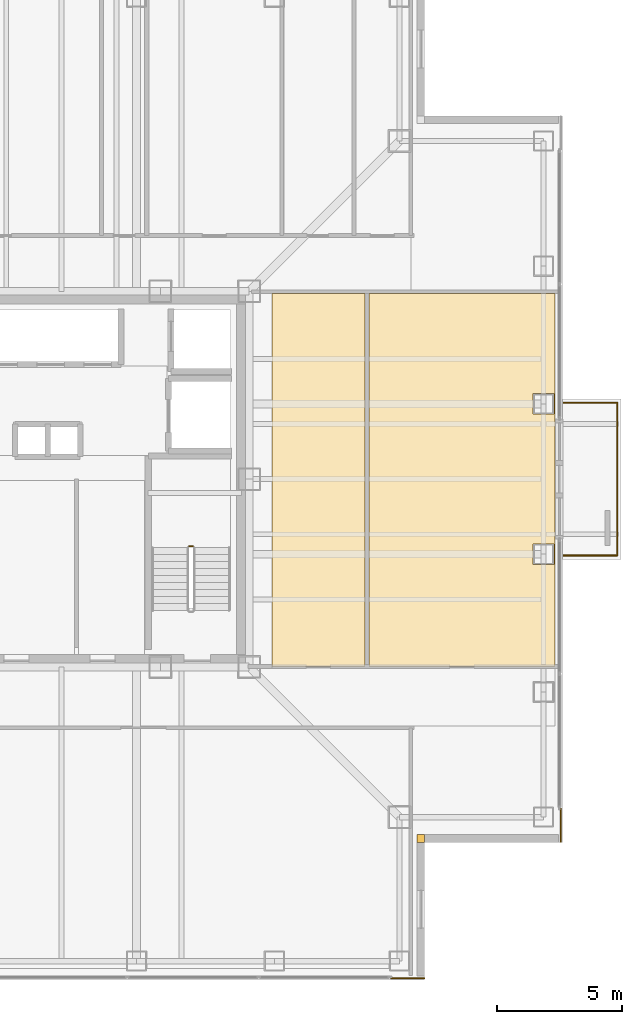
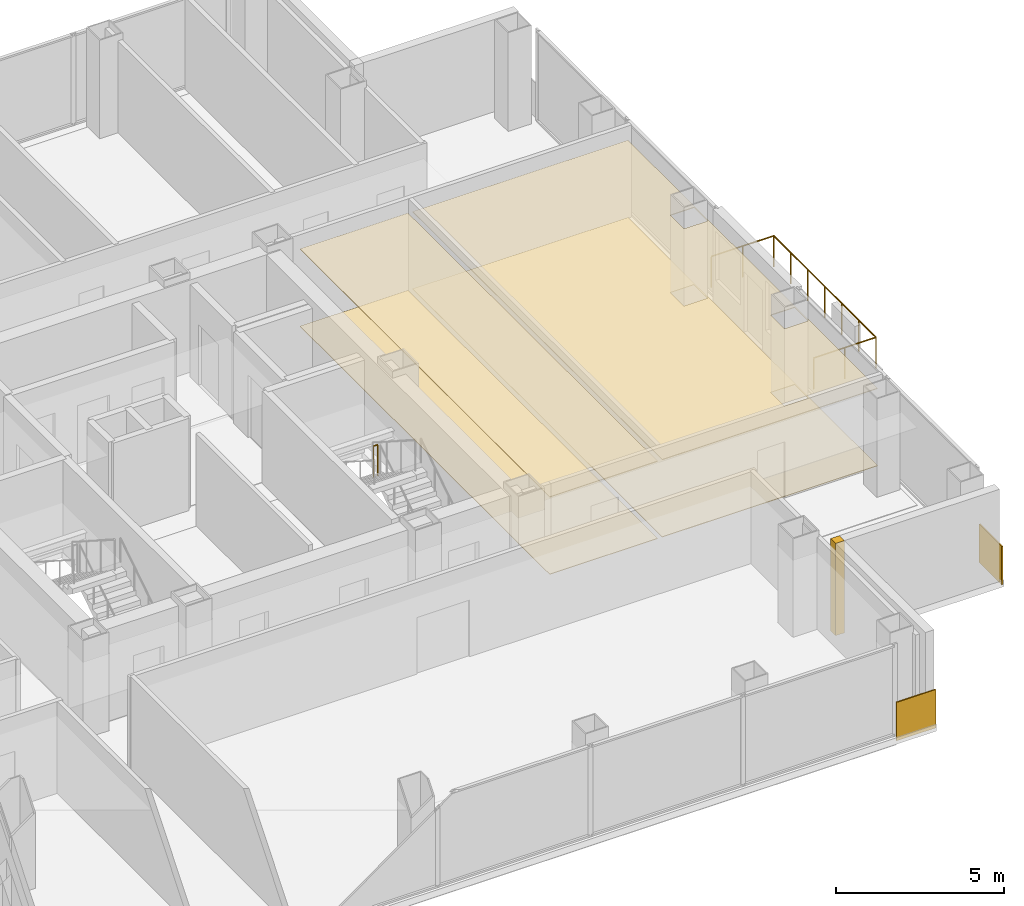
# One storey, part 16 of 17: 7 coverings, 4 railings.
"""IFC4 building model written with IfcOpenShell, lengths in metres."""

import ifcopenshell
import ifcopenshell.guid

model = None  # the IFC model being written
_history = None  # IfcOwnerHistory: only IFC2X3 demands one
_inside = {}  # id of a spatial element -> (the spatial element, [elements in it])
_under = {}  # id of a project, library or spatial element -> (it, [spatial elements below it])
_declared = {}  # id of a project -> (the project, [libraries it declares])
_typed = {}  # id of a type object -> (the type object, [elements of that type])
_made_of = {}  # id of a material, layer set ... -> (it, [elements and type objects made of it])


def new_model(schema):
    """Start an empty IFC model of exactly this schema.

    Asked for "IFC4X3", IfcOpenShell would pick the latest addendum, in which some entities
    have other attributes; the version numbers below select the first issue.
    IFC2X3 requires an IfcOwnerHistory on every rooted entity: one is made here for all.
    """
    global model, _history
    if schema == "IFC4X3":
        model = ifcopenshell.file(schema_version=(4, 3, 0, 0))
    else:
        model = ifcopenshell.file(schema=schema)
    _inside.clear()
    _under.clear()
    _declared.clear()
    _typed.clear()
    _made_of.clear()
    _history = None
    if model.schema == "IFC2X3":
        org = make("IfcOrganization", Name="unknown")
        user = make(
            "IfcPersonAndOrganization",
            ThePerson=make("IfcPerson", FamilyName="unknown"),
            TheOrganization=org,
        )
        app = make(
            "IfcApplication",
            ApplicationDeveloper=org,
            Version="unknown",
            ApplicationFullName="unknown",
            ApplicationIdentifier="unknown",
        )
        _history = make(
            "IfcOwnerHistory",
            OwningUser=user,
            OwningApplication=app,
            ChangeAction="ADDED",
            CreationDate=0,
        )
    return model


def make(cls, **values):
    """One entity of the class cls with the attributes given. An attribute that is None is left unset."""
    return model.create_entity(
        cls, **{name: value for name, value in values.items() if value is not None}
    )


def rooted(cls, **values):
    """An entity with a GlobalId (a new one), such as an element, a storey or a relation."""
    return make(cls, GlobalId=ifcopenshell.guid.new(), OwnerHistory=_history, **values)


def si_unit(unit_type, name, prefix=None):
    """IfcSIUnit, for example si_unit("LENGTHUNIT", "METRE", prefix="MILLI")."""
    return make("IfcSIUnit", UnitType=unit_type, Prefix=prefix, Name=name)


def assignment(units):
    """IfcUnitAssignment: the units of a project."""
    return None if units is None else make("IfcUnitAssignment", Units=units)


def point(xyz):
    """IfcCartesianPoint."""
    return None if xyz is None else make("IfcCartesianPoint", Coordinates=xyz)


def direction(xyz):
    """IfcDirection."""
    return None if xyz is None else make("IfcDirection", DirectionRatios=xyz)


def frame(location, z_axis=None, x_axis=None):
    """IfcAxis2Placement3D, a coordinate frame: its origin and axes. An axis left out is left unset."""
    return make(
        "IfcAxis2Placement3D",
        Location=point(location),
        Axis=direction(z_axis),
        RefDirection=direction(x_axis),
    )


def frame_2d(location, x_axis=None):
    """IfcAxis2Placement2D, a coordinate frame in the plane: its origin and x axis."""
    return make(
        "IfcAxis2Placement2D", Location=point(location), RefDirection=direction(x_axis)
    )


def origin():
    """The frame at (0, 0, 0) with its axes left unset."""
    return frame((0.0, 0.0, 0.0))


def origin_2d():
    """The frame at (0, 0) in the plane with its x axis left unset."""
    return frame_2d((0.0, 0.0))


def place(relative_to, where):
    """IfcLocalPlacement: puts the frame where relative to a parent placement (None: the world)."""
    return make(
        "IfcLocalPlacement", PlacementRelTo=relative_to, RelativePlacement=where
    )


def context(
    kind, dimensions, precision=None, world=None, true_north=None, identifier=None
):
    """IfcGeometricRepresentationContext, for example the 3D "Model" context."""
    return make(
        "IfcGeometricRepresentationContext",
        ContextIdentifier=identifier,
        ContextType=kind,
        CoordinateSpaceDimension=dimensions,
        Precision=precision,
        WorldCoordinateSystem=world,
        TrueNorth=true_north,
    )


def subcontext(parent, identifier, kind, view, scale=None):
    """IfcGeometricRepresentationSubContext, for example "Body" below "Model"."""
    return make(
        "IfcGeometricRepresentationSubContext",
        ContextIdentifier=identifier,
        ContextType=kind,
        ParentContext=parent,
        TargetScale=scale,
        TargetView=view,
    )


def project(units=None, contexts=None):
    """IfcProject with its units and contexts."""
    return rooted(
        "IfcProject",
        Name="project",
        RepresentationContexts=contexts,
        UnitsInContext=assignment(units),
    )


def spatial(cls, under=None, at=None, **own):
    """A site, building, storey or space (cls), placed at a placement, below another one or the project."""
    s = rooted(cls, ObjectPlacement=at, **own)
    if under is not None:
        _under.setdefault(under.id(), (under, []))[1].append(s)
    return s


def polyline(points):
    """IfcPolyline through the points."""
    return make("IfcPolyline", Points=[point(p) for p in points])


def profile(cls, at=None, kind="AREA", **sizes):
    """A parametric profile (cls). Its sizes go by their IFC names, for example OverallWidth=200.0."""
    return make(cls, ProfileType=kind, Position=at, **sizes)


def rectangle(**sizes):
    """IfcRectangleProfileDef."""
    return profile("IfcRectangleProfileDef", **sizes)


def circle(**sizes):
    """IfcCircleProfileDef."""
    return profile("IfcCircleProfileDef", **sizes)


def outline(outer, holes=None, kind="AREA"):
    """IfcArbitraryClosedProfileDef: a profile drawn as a closed curve; with holes, ...WithVoids."""
    if holes is None:
        return make("IfcArbitraryClosedProfileDef", ProfileType=kind, OuterCurve=outer)
    return make(
        "IfcArbitraryProfileDefWithVoids",
        ProfileType=kind,
        OuterCurve=outer,
        InnerCurves=holes,
    )


def extrude(swept, where, along, depth):
    """IfcExtrudedAreaSolid: the profile swept, set in the frame where, extruded along a direction by depth."""
    return make(
        "IfcExtrudedAreaSolid",
        SweptArea=swept,
        Position=where,
        ExtrudedDirection=direction(along),
        Depth=depth,
    )


def shape(context_of_items, identifier, shape_type, items):
    """IfcShapeRepresentation: the items that make up one representation, for example the "Body"."""
    return make(
        "IfcShapeRepresentation",
        ContextOfItems=context_of_items,
        RepresentationIdentifier=identifier,
        RepresentationType=shape_type,
        Items=items,
    )


def material(Name=None, Category=None):
    """IfcMaterial."""
    return make("IfcMaterial", Name=Name, Category=Category)


def layer(
    of_material, thickness, ventilated=None, Name=None, Category=None, Priority=None
):
    """IfcMaterialLayer: one layer of a wall or slab, of a material (None: an air gap)."""
    return make(
        "IfcMaterialLayer",
        Material=of_material,
        LayerThickness=thickness,
        IsVentilated=ventilated,
        Name=Name,
        Category=Category,
        Priority=Priority,
    )


def layer_set(layers, Name=None):
    """IfcMaterialLayerSet."""
    return make("IfcMaterialLayerSet", MaterialLayers=layers, LayerSetName=Name)


def made_of(thing, what):
    """Note that an element or type object is made of a material, layer set ...; save() writes the relation."""
    if what is not None:
        _made_of.setdefault(what.id(), (what, []))[1].append(thing)
    return thing


def type_object(cls, material=None, **own):
    """A type object (cls), such as IfcWallType, which elements share."""
    return made_of(rooted(cls, **own), material)


def element(
    cls,
    number,
    at=None,
    inside=None,
    cuts=None,
    type_object=None,
    material=None,
    context=None,
    identifier="Body",
    shape_type=None,
    held_by="IfcProductDefinitionShape",
    body=None,
    shapes=None,
    **own,
):
    """One element of the class cls, such as IfcWall. Its Tag is "e" and its number.

    at: its placement. inside: the storey or other place that contains it. cuts: it is an
    opening in that element (IfcRelVoidsElement). A single representation is given by context,
    identifier, shape_type and body (its items); several are given by shapes. held_by: the class
    of the entity that holds the representations. save() writes the other relations.
    """
    e = rooted(cls, Tag="e%d" % number, ObjectPlacement=at, **own)
    if body is not None:
        shapes = [shape(context, identifier, shape_type, body)]
    if shapes is not None:
        e.Representation = make(held_by, Representations=shapes)
    if inside is not None:
        _inside.setdefault(inside.id(), (inside, []))[1].append(e)
    if cuts is not None:
        rooted(
            "IfcRelVoidsElement", RelatingBuildingElement=cuts, RelatedOpeningElement=e
        )
    if type_object is not None:
        _typed.setdefault(type_object.id(), (type_object, []))[1].append(e)
    return made_of(e, material)


def aggregate(whole, parts):
    """IfcRelAggregates: a whole, such as a stair, and the parts it consists of."""
    return rooted("IfcRelAggregates", RelatingObject=whole, RelatedObjects=parts)


def save(model, path):
    """Write the relations noted so far, then the file.

    IfcRelAggregates (storeys below a building ...), IfcRelContainedInSpatialStructure (elements
    in a storey), IfcRelDefinesByType, IfcRelAssociatesMaterial and IfcRelDeclares: one each for
    every whole, place, type object, material and project.
    """
    for whole, parts in _under.values():
        aggregate(whole, parts)
    for where, things in _inside.values():
        rooted(
            "IfcRelContainedInSpatialStructure",
            RelatedElements=things,
            RelatingStructure=where,
        )
    for kind, things in _typed.values():
        rooted("IfcRelDefinesByType", RelatedObjects=things, RelatingType=kind)
    for what, things in _made_of.values():
        rooted("IfcRelAssociatesMaterial", RelatedObjects=things, RelatingMaterial=what)
    for by, libraries in _declared.values():
        rooted("IfcRelDeclares", RelatingContext=by, RelatedDefinitions=libraries)
    model.write(path)


model = new_model("IFC4")

# Units and contexts
model_context = context("Model", 3, precision=1e-05, world=origin(), true_north=direction((0.0, 1.0)))
body_context = subcontext(model_context, "Body", "Model", "MODEL_VIEW")
ifc_project = project(units=[si_unit("LENGTHUNIT", "METRE"), si_unit("AREAUNIT", "SQUARE_METRE"), si_unit("VOLUMEUNIT", "CUBIC_METRE"), si_unit("PLANEANGLEUNIT", "RADIAN"), si_unit("MASSUNIT", "GRAM", prefix="KILO")], contexts=[model_context])

# Site, building, storey
site_placement = place(None, origin())
site = spatial("IfcSite", under=ifc_project, at=site_placement, CompositionType="ELEMENT")
building_placement = place(site_placement, origin())
building = spatial("IfcBuilding", under=site, at=building_placement, Name="Trevonay Congress Spire", CompositionType="ELEMENT")
storey_placement = place(building_placement, frame((0.0, 0.0, 187.800048828125)))
storey = spatial("IfcBuildingStorey", under=building, at=storey_placement, Name="L48", CompositionType="ELEMENT", Elevation=187.800048828125)

# Coverings
ifc_material_1 = material(Name="Acoustic Mineral Fibre Board", Category="gypsum")
ifc_layer_1 = layer(ifc_material_1, 0.02490234375, Name="Acoustic Mineral Fibre Board")
ifc_layer_set_1 = layer_set([ifc_layer_1], Name="Acoustic Mineral Fibre Board")
covering_type_1 = type_object("IfcCoveringType", Name="COV-CEIL-ACOUSTIC", PredefinedType="CEILING", material=ifc_layer_set_1)
covering_1_placement = place(storey_placement, frame((0.0, 0.0, 2.81005859375)))
element("IfcCovering", 1, at=covering_1_placement, inside=storey, type_object=covering_type_1, Name="L48 Executive Study Office acoustic suspended ceiling", PredefinedType="CEILING", context=body_context, shape_type="SweptSolid", body=[
    extrude(outline(polyline([(8.39990234375, -7.47998046875), (12.1201171875, -7.47998046875), (12.1201171875, 7.419921875), (8.39990234375, 7.419921875), (8.39990234375, -7.47998046875)])), origin(), (0.0, 0.0, 1.0), 0.02490234375),
])
covering_2_placement = place(storey_placement, frame((0.0, 0.0, 2.81005859375)))
element("IfcCovering", 2, at=covering_2_placement, inside=storey, type_object=covering_type_1, Name="L48 Catering Pantry acoustic suspended ceiling", PredefinedType="CEILING", context=body_context, shape_type="SweptSolid", body=[
    extrude(outline(polyline([(12.280029296875, 7.419921875), (19.699951171875, 7.419921875), (19.699951171875, -7.47998046875), (12.280029296875, -7.47998046875), (12.280029296875, 7.419921875)]), holes=[polyline([(18.840087890625, -3.409912109375), (19.659912109375, -3.409912109375), (19.659912109375, -2.590087890625), (18.840087890625, -2.590087890625), (18.840087890625, -3.409912109375)]), polyline([(18.840087890625, 2.590087890625), (19.659912109375, 2.590087890625), (19.659912109375, 3.409912109375), (18.840087890625, 3.409912109375), (18.840087890625, 2.590087890625)])]), origin(), (0.0, 0.0, 1.0), 0.02490234375),
])
ifc_material_2 = material(Name="Polished Granite Floor Tile", Category="masonry")
ifc_layer_2 = layer(ifc_material_2, 0.02001953125, Name="Polished Granite Floor Tile")
ifc_layer_set_2 = layer_set([ifc_layer_2], Name="Polished Granite Floor Tile")
covering_type_2 = type_object("IfcCoveringType", Name="COV-FLOOR-STONE", PredefinedType="FLOORING", material=ifc_layer_set_2)
covering_3_placement = place(storey_placement, origin())
element("IfcCovering", 3, at=covering_3_placement, inside=storey, type_object=covering_type_2, Name="L48 Catering Pantry floor finish", PredefinedType="FLOORING", context=body_context, shape_type="SweptSolid", body=[
    extrude(outline(polyline([(12.280029296875, 7.419921875), (19.699951171875, 7.419921875), (19.699951171875, -7.47998046875), (12.280029296875, -7.47998046875), (12.280029296875, 7.419921875)]), holes=[polyline([(18.840087890625, -3.409912109375), (19.659912109375, -3.409912109375), (19.659912109375, -2.590087890625), (18.840087890625, -2.590087890625), (18.840087890625, -3.409912109375)]), polyline([(18.840087890625, 2.590087890625), (19.659912109375, 2.590087890625), (19.659912109375, 3.409912109375), (18.840087890625, 3.409912109375), (18.840087890625, 2.590087890625)])]), origin(), (0.0, 0.0, 1.0), 0.02001953125),
])
ifc_material_3 = material(Name="Engineered Oak Flooring", Category="wood")
ifc_layer_3 = layer(ifc_material_3, 0.01806640625, Name="Engineered Oak Flooring")
ifc_layer_set_3 = layer_set([ifc_layer_3], Name="Engineered Oak Flooring")
covering_type_3 = type_object("IfcCoveringType", Name="COV-FLOOR-TIMBER", PredefinedType="FLOORING", material=ifc_layer_set_3)
covering_4_placement = place(storey_placement, origin())
element("IfcCovering", 4, at=covering_4_placement, inside=storey, type_object=covering_type_3, Name="L48 Executive Study Office floor finish", PredefinedType="FLOORING", context=body_context, shape_type="SweptSolid", body=[
    extrude(outline(polyline([(8.39990234375, -7.47998046875), (12.1201171875, -7.47998046875), (12.1201171875, 7.419921875), (8.39990234375, 7.419921875), (8.39990234375, -7.47998046875)])), origin(), (0.0, 0.0, 1.0), 0.01806640625),
])
ifc_material_4 = material(Name="Pale Anodised Aluminium EN AW-6063-T6", Category="aluminium")
ifc_layer_4 = layer(ifc_material_4, 0.0400390625, Name="Pale Anodised Aluminium EN AW-6063-T6")
ifc_layer_set_4 = layer_set([ifc_layer_4], Name="Pale Anodised Aluminium EN AW-6063-T6")
covering_type_4 = type_object("IfcCoveringType", Name="COV-SPANDREL-PALE-METAL", PredefinedType="CLADDING", material=ifc_layer_set_4)
covering_5_placement = place(storey_placement, origin())
element("IfcCovering", 5, at=covering_5_placement, inside=storey, type_object=covering_type_4, Name="L48 SE re-entrant notch corner closure trim", PredefinedType="CLADDING", context=body_context, shape_type="SweptSolid", body=[
    extrude(outline(polyline([(14.199951171875, -14.5), (14.5, -14.5), (14.5, -14.199951171875), (14.199951171875, -14.199951171875), (14.199951171875, -14.5)])), origin(), (0.0, 0.0, 1.0), 3.35986328125),
])
for number, where, z_axis, x_axis, name in (
    (6, (19.93994140625, -13.14990234375, -0.150146484375), (0.0, 0.0, 1.0), (0.0, -1.0, 0.0), "L48 SE corner pier spandrel cladding 1"),
    (7, (13.14990234375, -19.93994140625, -0.150146484375), (0.0, 0.0, 1.0), (1.0, 0.0, 0.0), "L48 SE corner pier spandrel cladding 2"),
):
    element("IfcCovering", number, at=place(storey_placement, frame(where, z_axis=z_axis, x_axis=x_axis)), inside=storey, type_object=covering_type_4, Name=name, PredefinedType="CLADDING", context=body_context, shape_type="SweptSolid", body=[
        extrude(rectangle(XDim=1.35009765625, YDim=0.0400390625, at=frame_2d((0.675048828125, 0.0))), origin(), (0.0, 0.0, 1.0), 1.400146484375),
    ])

# Railings
railing_type_1 = type_object("IfcRailingType", Name="RAL-EXT-GUARD-115", PredefinedType="GUARDRAIL", material=ifc_material_4)
railing_1_placement = place(storey_placement, frame((20.050048828125, -3.050048828125, 0.0)))
element("IfcRailing", 8, at=railing_1_placement, inside=storey, type_object=railing_type_1, Name="L48 perimeter safety guard GRD-L48-TBAL-E-1", PredefinedType="GUARDRAIL", context=body_context, shape_type="SweptSolid", body=[
    extrude(circle(Radius=0.02392578125, at=origin_2d()), frame((0.0, 0.0, 1.1259765625), z_axis=(1.0, 0.0, 0.0), x_axis=(0.0, 1.0, 0.0)), (0.0, 0.0, 1.0), 2.14990234375),
    extrude(circle(Radius=0.02099609375, at=origin_2d()), origin(), (0.0, 0.0, 1.0), 1.101806640625),
    extrude(circle(Radius=0.02099609375, at=origin_2d()), frame((1.074951171875, 0.0, 0.0)), (0.0, 0.0, 1.0), 1.101806640625),
    extrude(circle(Radius=0.02099609375, at=origin_2d()), frame((2.14990234375, 0.0, 0.0)), (0.0, 0.0, 1.0), 1.101806640625),
])
railing_2_placement = place(storey_placement, frame((22.199951171875, -3.050048828125, 0.0)))
element("IfcRailing", 9, at=railing_2_placement, inside=storey, type_object=railing_type_1, Name="L48 perimeter safety guard GRD-L48-TBAL-E-2", PredefinedType="GUARDRAIL", context=body_context, shape_type="SweptSolid", body=[
    extrude(circle(Radius=0.02392578125, at=origin_2d()), frame((0.0, 0.0, 1.1259765625), z_axis=(0.0, 1.0, 0.0), x_axis=(-1.0, 0.0, 0.0)), (0.0, 0.0, 1.0), 6.10009765625),
    extrude(circle(Radius=0.02099609375, at=origin_2d()), origin(), (0.0, 0.0, 1.0), 1.101806640625),
    extrude(circle(Radius=0.02099609375, at=origin_2d()), frame((0.0, 1.0166015625, 0.0)), (0.0, 0.0, 1.0), 1.101806640625),
    extrude(circle(Radius=0.02099609375, at=origin_2d()), frame((0.0, 2.033447265625, 0.0)), (0.0, 0.0, 1.0), 1.101806640625),
    extrude(circle(Radius=0.02099609375, at=origin_2d()), frame((0.0, 3.050048828125, 0.0)), (0.0, 0.0, 1.0), 1.101806640625),
    extrude(circle(Radius=0.02099609375, at=origin_2d()), frame((0.0, 4.066650390625, 0.0)), (0.0, 0.0, 1.0), 1.101806640625),
    extrude(circle(Radius=0.02099609375, at=origin_2d()), frame((0.0, 5.08349609375, 0.0)), (0.0, 0.0, 1.0), 1.101806640625),
    extrude(circle(Radius=0.02099609375, at=origin_2d()), frame((0.0, 6.10009765625, 0.0)), (0.0, 0.0, 1.0), 1.101806640625),
])
railing_3_placement = place(storey_placement, frame((22.199951171875, 3.050048828125, 0.0)))
element("IfcRailing", 10, at=railing_3_placement, inside=storey, type_object=railing_type_1, Name="L48 perimeter safety guard GRD-L48-TBAL-E-3", PredefinedType="GUARDRAIL", context=body_context, shape_type="SweptSolid", body=[
    extrude(circle(Radius=0.02392578125, at=origin_2d()), frame((0.0, 0.0, 1.1259765625), z_axis=(-1.0, 0.0, 0.0), x_axis=(0.0, -1.0, 0.0)), (0.0, 0.0, 1.0), 2.14990234375),
    extrude(circle(Radius=0.02099609375, at=origin_2d()), origin(), (0.0, 0.0, 1.0), 1.101806640625),
    extrude(circle(Radius=0.02099609375, at=origin_2d()), frame((-1.074951171875, 0.0, 0.0)), (0.0, 0.0, 1.0), 1.101806640625),
    extrude(circle(Radius=0.02099609375, at=origin_2d()), frame((-2.14990234375, 0.0, 0.0)), (0.0, 0.0, 1.0), 1.101806640625),
])
railing_type_2 = type_object("IfcRailingType", Name="RAL-STAIR-GUARD-110", PredefinedType="GUARDRAIL", material=ifc_material_4)
railing_4_placement = place(storey_placement, frame((5.25, -2.679931640625, 1.800048828125)))
element("IfcRailing", 11, at=railing_4_placement, inside=storey, type_object=railing_type_2, Name="L48 ST-2 stair guard 2", PredefinedType="GUARDRAIL", context=body_context, shape_type="SweptSolid", body=[
    extrude(circle(Radius=0.02392578125, at=origin_2d()), frame((0.0, 0.0, 1.1259765625), z_axis=(-1.0, 0.0, 0.0), x_axis=(0.0, -1.0, 0.0)), (0.0, 0.0, 1.0), 0.14990234375),
    extrude(circle(Radius=0.02099609375, at=origin_2d()), origin(), (0.0, 0.0, 1.0), 1.101806640625),
    extrude(circle(Radius=0.02099609375, at=origin_2d()), frame((-0.14990234375, 0.0, 0.0)), (0.0, 0.0, 1.0), 1.101806640625),
])

save(model, "model.ifc")
